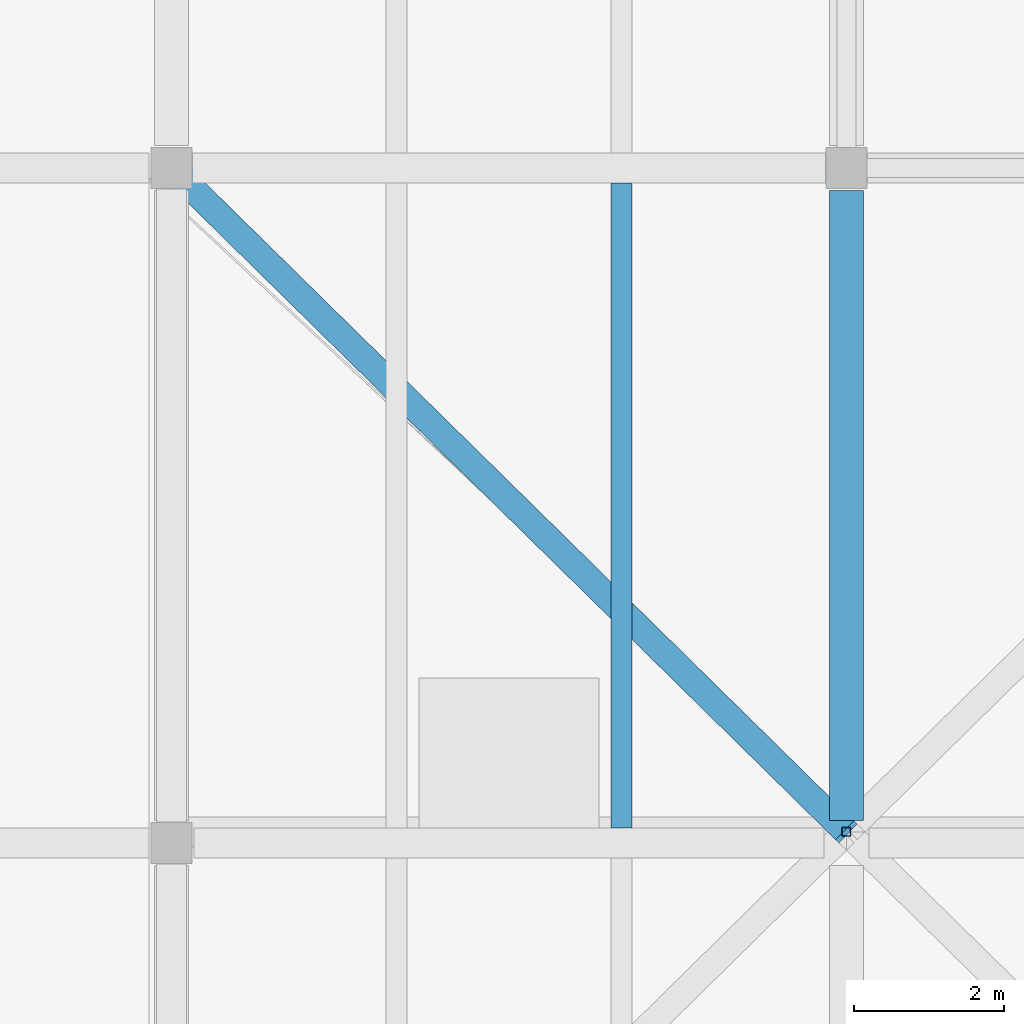
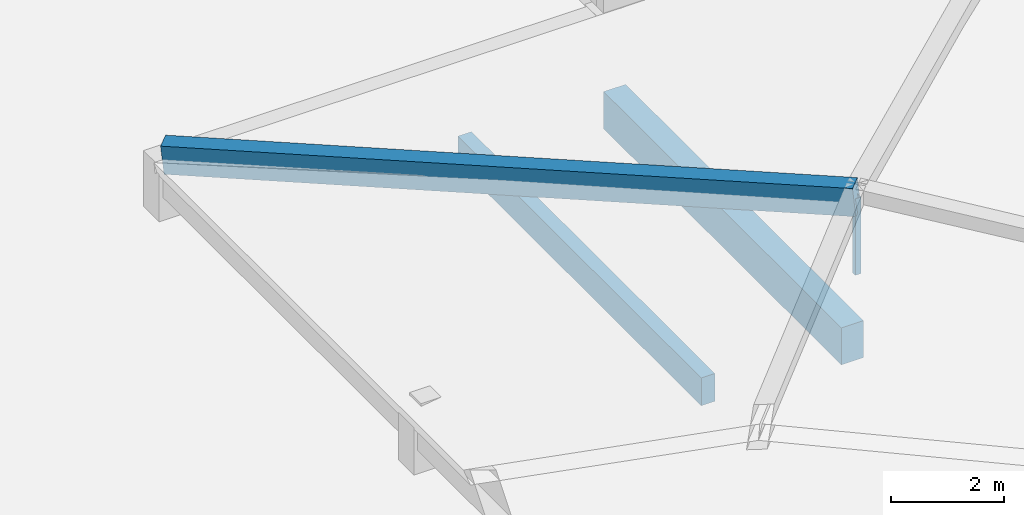
# One storey, part 30 of 56: 3 beams, 1 member.
"""IFC4 building model written with IfcOpenShell, lengths in metres."""

from ifc_helpers import new_model, si_unit, direction, frame, origin, origin_2d, place, context, subcontext, project, spatial, rectangle, hollow_rectangle, extrude, material, material_profile, profile_set, type_object, element, save


model = new_model("IFC4")

# Units and contexts
model_context = context("Model", 3, precision=1e-05, world=origin(), true_north=direction((0.0, 1.0)))
body_context = subcontext(model_context, "Body", "Model", "MODEL_VIEW")
ifc_project = project(units=[si_unit("LENGTHUNIT", "METRE"), si_unit("AREAUNIT", "SQUARE_METRE"), si_unit("VOLUMEUNIT", "CUBIC_METRE"), si_unit("PLANEANGLEUNIT", "RADIAN"), si_unit("MASSUNIT", "GRAM", prefix="KILO")], contexts=[model_context])

# Site, building, storey
site_placement = place(None, origin())
site = spatial("IfcSite", under=ifc_project, at=site_placement, CompositionType="ELEMENT")
building_placement = place(site_placement, origin())
building = spatial("IfcBuilding", under=site, at=building_placement, Name="Zacnel Wholesale Market", CompositionType="ELEMENT")
storey_placement = place(building_placement, frame((0.0, 0.0, 20.300048828125)))
storey = spatial("IfcBuildingStorey", under=building, at=storey_placement, Name="RF", CompositionType="ELEMENT", Elevation=20.300048828125)

# Beams
ifc_material_1 = material(Name="Concrete C40/50", Category="concrete")
ifc_material_profile_1 = material_profile(ifc_material_1, rectangle(XDim=0.35009765625, YDim=0.60009765625, at=origin_2d()), Name="ARCH RIB 350x600")
ifc_profile_set_1 = profile_set([ifc_material_profile_1], Name="Concrete C40/50")
beam_type_1 = type_object("IfcBeamType", Name="BM-AR600", PredefinedType="USERDEFINED", material=ifc_profile_set_1)
beam_1_placement = place(storey_placement, frame((189.0, 66.0, 1.22998046875), z_axis=(0.709267745577, -0.697454312531, 0.102453633496), x_axis=(0.701143885193, 0.713019811966, 0.0)))
element("IfcBeam", 1, at=beam_1_placement, inside=storey, type_object=beam_type_1, Name="Hipped crown rib STR-ROOF-V1ELAN-4", ObjectType="ARCH RIB", PredefinedType="USERDEFINED", context=body_context, shape_type="SweptSolid", body=[
    extrude(rectangle(XDim=0.35009765625, YDim=0.60009765625, at=origin_2d()), origin(), (0.0, 0.0, 1.0), 12.689208984375),
])
ifc_material_2 = material(Name="Precast concrete C45/55", Category="concrete")
ifc_material_profile_2 = material_profile(ifc_material_2, rectangle(XDim=0.280029296875, YDim=0.60009765625, at=origin_2d()), Name="DT RIB 280x600")
ifc_profile_set_2 = profile_set([ifc_material_profile_2], Name="Precast concrete C45/55")
beam_type_2 = type_object("IfcBeamType", Name="BM-DT600", PredefinedType="JOIST", material=ifc_profile_set_2)
beam_2_placement = place(storey_placement, frame((195.0, 57.199951171875, -0.60009765625), z_axis=(0.0, 1.0, 0.0), x_axis=(-1.0, 0.0, 0.0)))
element("IfcBeam", 2, at=beam_2_placement, inside=storey, type_object=beam_type_2, Name="Precast secondary joist RF-0864", PredefinedType="JOIST", context=body_context, shape_type="SweptSolid", body=[
    extrude(rectangle(XDim=0.280029296875, YDim=0.60009765625, at=origin_2d()), origin(), (0.0, 0.0, 1.0), 8.60009765625),
])
ifc_material_3 = material(Name="Precast concrete C45/55", Category="concrete")
ifc_material_profile_3 = material_profile(ifc_material_3, rectangle(XDim=0.449951171875, YDim=0.800048828125, at=origin_2d()), Name="PG 450x800")
ifc_profile_set_3 = profile_set([ifc_material_profile_3], Name="Precast concrete C45/55")
beam_type_3 = type_object("IfcBeamType", Name="BM-PG800", PredefinedType="BEAM", material=ifc_profile_set_3)
beam_3_placement = place(storey_placement, frame((198.0, 57.300048828125, -0.699951171875), z_axis=(0.0, 1.0, 0.0), x_axis=(-1.0, 0.0, 0.0)))
element("IfcBeam", 3, at=beam_3_placement, inside=storey, type_object=beam_type_3, Name="Precast girder Y-1528", PredefinedType="BEAM", context=body_context, shape_type="SweptSolid", body=[
    extrude(rectangle(XDim=0.449951171875, YDim=0.800048828125, at=origin_2d()), origin(), (0.0, 0.0, 1.0), 8.39990234375),
])

# Member
ifc_material_4 = material(Name="Steel S355", Category="steel")
ifc_material_profile_4 = material_profile(ifc_material_4, hollow_rectangle(XDim=0.1201171875, YDim=0.1201171875, WallThickness=0.00634765625, InnerFilletRadius=0.006103515625, OuterFilletRadius=0.011962890625, at=origin_2d()), Name="HSS 120x120x6.3")
ifc_profile_set_4 = profile_set([ifc_material_profile_4], Name="Steel S355")
member_type = type_object("IfcMemberType", Name="MEM-PST-HSS120", PredefinedType="POST", material=ifc_profile_set_4)
member_placement = place(storey_placement, frame((198.0, 57.14990234375, 0.89990234375), z_axis=(0.0, 0.0, 1.0), x_axis=(1.0, 0.0, 0.0)))
element("IfcMember", 4, at=member_placement, inside=storey, type_object=member_type, Name="Hipped crown king-post STR-ROOF-V1ELAN-1", PredefinedType="POST", context=body_context, shape_type="SweptSolid", body=[
    extrude(hollow_rectangle(XDim=0.1201171875, YDim=0.1201171875, WallThickness=0.00634765625, InnerFilletRadius=0.006103515625, OuterFilletRadius=0.011962890625, at=origin_2d()), origin(), (0.0, 0.0, 1.0), 1.650146484375),
])

save(model, "model.ifc")
